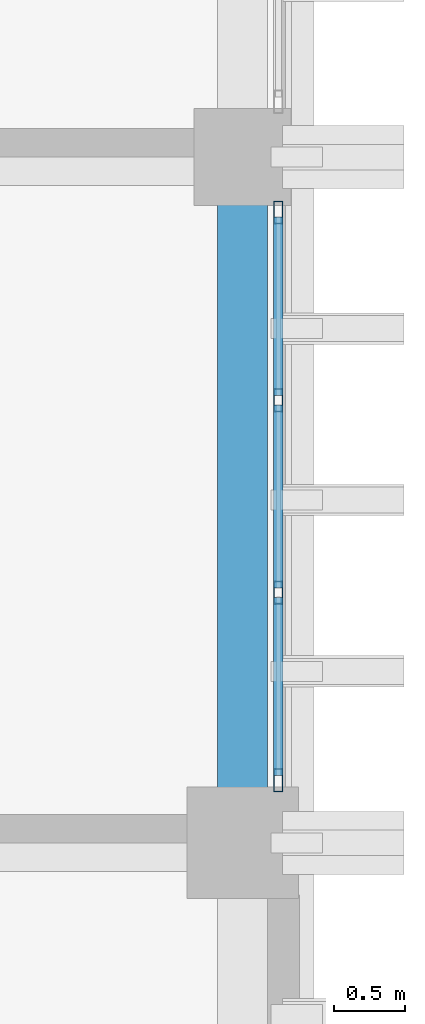
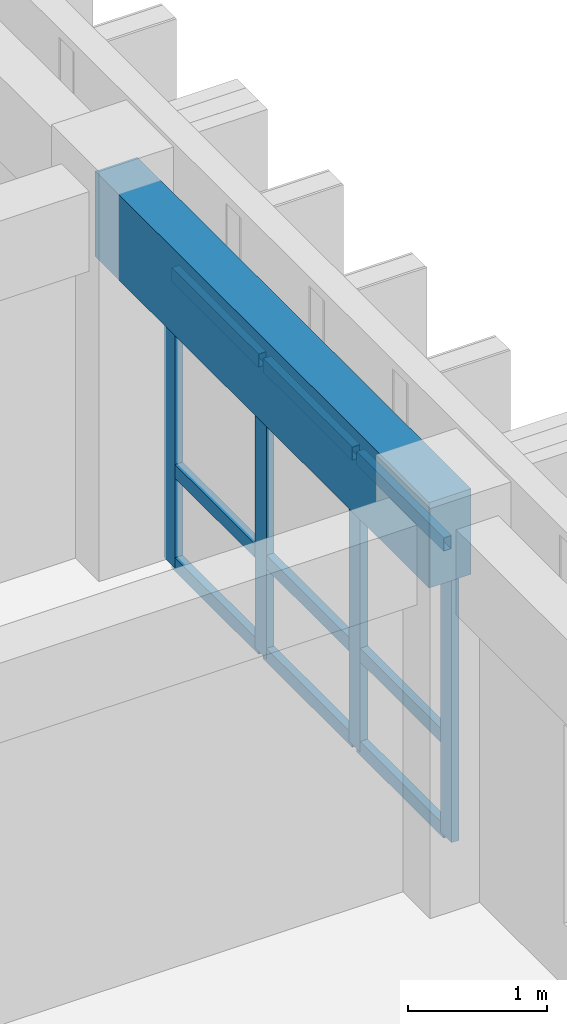
# One storey, part 49 of 68: 13 members, 1 beam, 1 element without a shape of its own.
"""IFC4 building model written with IfcOpenShell, lengths in metres."""

from ifc_helpers import new_model, si_unit, direction, frame, origin, origin_2d, place, context, subcontext, project, spatial, rectangle, hollow_rectangle, extrude, material, layer, layer_set, material_profile, profile_set, type_object, element, aggregate, save


model = new_model("IFC4")

# Units and contexts
model_context = context("Model", 3, precision=1e-05, world=origin(), true_north=direction((0.0, 1.0)))
body_context = subcontext(model_context, "Body", "Model", "MODEL_VIEW")
ifc_project = project(units=[si_unit("LENGTHUNIT", "METRE"), si_unit("AREAUNIT", "SQUARE_METRE"), si_unit("VOLUMEUNIT", "CUBIC_METRE"), si_unit("PLANEANGLEUNIT", "RADIAN"), si_unit("MASSUNIT", "GRAM", prefix="KILO")], contexts=[model_context])

# Site, building, storey
site_placement = place(None, origin())
site = spatial("IfcSite", under=ifc_project, at=site_placement, CompositionType="ELEMENT")
building_placement = place(site_placement, origin())
building = spatial("IfcBuilding", under=site, at=building_placement, Name="Nakhvara Creek Congress Hotel", CompositionType="ELEMENT")
storey_placement = place(building_placement, frame((0.0, 0.0, 24.60009765625)))
storey = spatial("IfcBuildingStorey", under=building, at=storey_placement, Name="L05", CompositionType="ELEMENT", Elevation=24.60009765625)

# Beam
ifc_material_1 = material(Name="Concrete C40/50", Category="concrete")
ifc_material_profile_1 = material_profile(ifc_material_1, rectangle(XDim=0.35009765625, YDim=0.75, at=origin_2d()), Name="RC-SPANDREL 350x750", Category="LoadBearing")
ifc_profile_set_1 = profile_set([ifc_material_profile_1], Name="Concrete C40/50")
beam_type = type_object("IfcBeamType", Name="BM-SPN-350X750", PredefinedType="SPANDREL", material=ifc_profile_set_1)
beam_placement = place(storey_placement, frame((179.35009765625, 115.199951171875, 2.96484375), z_axis=(0.0, 1.0, 0.0), x_axis=(-1.0, 0.0, 0.0)))
element("IfcBeam", 1, at=beam_placement, inside=storey, type_object=beam_type, Name="Beam SP1-L05-2165", PredefinedType="SPANDREL", context=body_context, shape_type="SweptSolid", body=[
    extrude(rectangle(XDim=0.35009765625, YDim=0.75, at=origin_2d()), origin(), (0.0, 0.0, 1.0), 4.800048828125),
])

# Curtain wall, members
ifc_material_2 = material(Name="Bronze-anodised aluminium AW-6063-T6 and double-silver low-E glass", Category="aluminium")
ifc_layer = layer(ifc_material_2, 0.199951171875)
ifc_layer_set = layer_set([ifc_layer], Name="Bronze-anodised aluminium AW-6063-T6 and double-silver low-E glass")
curtain_wall_type = type_object("IfcCurtainWallType", Name="CW-HTL-UNIT", PredefinedType="USERDEFINED", material=ifc_layer_set)
curtain_wall_placement = place(storey_placement, origin())
curtain_wall = element("IfcCurtainWall", 2, at=curtain_wall_placement, inside=storey, type_object=curtain_wall_type, Name="Curtain Wall CW226", ObjectType="UNITISED", PredefinedType="USERDEFINED")
ifc_material_3 = material(Name="Bronze-anodised aluminium AW-6063-T6", Category="aluminium")
ifc_material_profile_2 = material_profile(ifc_material_3, hollow_rectangle(XDim=0.06494140625, YDim=0.159912109375, WallThickness=0.00390625, at=origin_2d()), Name="ALU-MULL 65x160x4", Category="LoadBearing")
ifc_profile_set_2 = profile_set([ifc_material_profile_2], Name="Bronze-anodised aluminium AW-6063-T6")
member_type_1 = type_object("IfcMemberType", Name="CW-MULL-160", PredefinedType="MULLION", material=ifc_profile_set_2)
member_1_placement = place(storey_placement, frame((179.60009765625, 119.612548828125, 0.0), z_axis=(0.0, 0.0, 1.0), x_axis=(1.0, 0.0, 0.0)))
member_1 = element("IfcMember", 3, at=member_1_placement, type_object=member_type_1, Name="CW226 mullion 1", PredefinedType="MULLION", context=body_context, shape_type="SweptSolid", body=[
    extrude(hollow_rectangle(XDim=0.06494140625, YDim=0.159912109375, WallThickness=0.00390625, at=origin_2d()), origin(), (0.0, 0.0, 1.0), 2.581787109375),
])
member_2_placement = place(storey_placement, frame((179.60009765625, 118.29833984375, 0.0), z_axis=(0.0, 0.0, 1.0), x_axis=(1.0, 0.0, 0.0)))
member_2 = element("IfcMember", 4, at=member_2_placement, type_object=member_type_1, Name="CW226 mullion 2", PredefinedType="MULLION", context=body_context, shape_type="SweptSolid", body=[
    extrude(hollow_rectangle(XDim=0.06494140625, YDim=0.159912109375, WallThickness=0.00390625, at=origin_2d()), origin(), (0.0, 0.0, 1.0), 2.581787109375),
])
member_3_placement = place(storey_placement, frame((179.60009765625, 116.95166015625, 0.0), z_axis=(0.0, 0.0, 1.0), x_axis=(1.0, 0.0, 0.0)))
member_3 = element("IfcMember", 5, at=member_3_placement, type_object=member_type_1, Name="CW226 mullion 3", PredefinedType="MULLION", context=body_context, shape_type="SweptSolid", body=[
    extrude(hollow_rectangle(XDim=0.06494140625, YDim=0.159912109375, WallThickness=0.00390625, at=origin_2d()), origin(), (0.0, 0.0, 1.0), 2.581787109375),
])
member_4_placement = place(storey_placement, frame((179.60009765625, 115.637451171875, 0.0), z_axis=(0.0, 0.0, 1.0), x_axis=(1.0, 0.0, 0.0)))
member_4 = element("IfcMember", 6, at=member_4_placement, type_object=member_type_1, Name="CW226 mullion 4", PredefinedType="MULLION", context=body_context, shape_type="SweptSolid", body=[
    extrude(hollow_rectangle(XDim=0.06494140625, YDim=0.159912109375, WallThickness=0.00390625, at=origin_2d()), origin(), (0.0, 0.0, 1.0), 2.581787109375),
])
ifc_material_profile_3 = material_profile(ifc_material_3, hollow_rectangle(XDim=0.06494140625, YDim=0.1201171875, WallThickness=0.00390625, at=origin_2d()), Name="ALU-TRAN 65x120x4", Category="LoadBearing")
ifc_profile_set_3 = profile_set([ifc_material_profile_3], Name="Bronze-anodised aluminium AW-6063-T6")
member_type_2 = type_object("IfcMemberType", Name="CW-TRAN-120", PredefinedType="USERDEFINED", material=ifc_profile_set_3)
member_5_placement = place(storey_placement, frame((179.60009765625, 119.580078125, 0.032470703125), z_axis=(0.0, -1.0, 0.0), x_axis=(1.0, 0.0, 0.0)))
member_5 = element("IfcMember", 7, at=member_5_placement, type_object=member_type_2, Name="CW226 transom 1.1", ObjectType="TRANSOM", PredefinedType="USERDEFINED", context=body_context, shape_type="SweptSolid", body=[
    extrude(hollow_rectangle(XDim=0.06494140625, YDim=0.1201171875, WallThickness=0.00390625, at=origin_2d()), origin(), (0.0, 0.0, 1.0), 1.249267578125),
])
member_6_placement = place(storey_placement, frame((179.60009765625, 119.580078125, 0.849853515625), z_axis=(0.0, -1.0, 0.0), x_axis=(1.0, 0.0, 0.0)))
member_6 = element("IfcMember", 8, at=member_6_placement, type_object=member_type_2, Name="CW226 transom 1.2", ObjectType="TRANSOM", PredefinedType="USERDEFINED", context=body_context, shape_type="SweptSolid", body=[
    extrude(hollow_rectangle(XDim=0.06494140625, YDim=0.1201171875, WallThickness=0.00390625, at=origin_2d()), origin(), (0.0, 0.0, 1.0), 1.249267578125),
])
member_7_placement = place(storey_placement, frame((179.60009765625, 119.580078125, 2.54931640625), z_axis=(0.0, -1.0, 0.0), x_axis=(1.0, 0.0, 0.0)))
member_7 = element("IfcMember", 9, at=member_7_placement, type_object=member_type_2, Name="CW226 transom 1.3", ObjectType="TRANSOM", PredefinedType="USERDEFINED", context=body_context, shape_type="SweptSolid", body=[
    extrude(hollow_rectangle(XDim=0.06494140625, YDim=0.1201171875, WallThickness=0.00390625, at=origin_2d()), origin(), (0.0, 0.0, 1.0), 1.249267578125),
])
member_8_placement = place(storey_placement, frame((179.60009765625, 118.265869140625, 0.032470703125), z_axis=(0.0, -1.0, 0.0), x_axis=(1.0, 0.0, 0.0)))
member_8 = element("IfcMember", 10, at=member_8_placement, type_object=member_type_2, Name="CW226 transom 2.1", ObjectType="TRANSOM", PredefinedType="USERDEFINED", context=body_context, shape_type="SweptSolid", body=[
    extrude(hollow_rectangle(XDim=0.06494140625, YDim=0.1201171875, WallThickness=0.00390625, at=origin_2d()), origin(), (0.0, 0.0, 1.0), 1.28173828125),
])
member_9_placement = place(storey_placement, frame((179.60009765625, 118.265869140625, 0.849853515625), z_axis=(0.0, -1.0, 0.0), x_axis=(1.0, 0.0, 0.0)))
member_9 = element("IfcMember", 11, at=member_9_placement, type_object=member_type_2, Name="CW226 transom 2.2", ObjectType="TRANSOM", PredefinedType="USERDEFINED", context=body_context, shape_type="SweptSolid", body=[
    extrude(hollow_rectangle(XDim=0.06494140625, YDim=0.1201171875, WallThickness=0.00390625, at=origin_2d()), origin(), (0.0, 0.0, 1.0), 1.28173828125),
])
member_10_placement = place(storey_placement, frame((179.60009765625, 118.265869140625, 2.54931640625), z_axis=(0.0, -1.0, 0.0), x_axis=(1.0, 0.0, 0.0)))
member_10 = element("IfcMember", 12, at=member_10_placement, type_object=member_type_2, Name="CW226 transom 2.3", ObjectType="TRANSOM", PredefinedType="USERDEFINED", context=body_context, shape_type="SweptSolid", body=[
    extrude(hollow_rectangle(XDim=0.06494140625, YDim=0.1201171875, WallThickness=0.00390625, at=origin_2d()), origin(), (0.0, 0.0, 1.0), 1.28173828125),
])
member_11_placement = place(storey_placement, frame((179.60009765625, 116.919189453125, 0.032470703125), z_axis=(0.0, -1.0, 0.0), x_axis=(1.0, 0.0, 0.0)))
member_11 = element("IfcMember", 13, at=member_11_placement, type_object=member_type_2, Name="CW226 transom 3.1", ObjectType="TRANSOM", PredefinedType="USERDEFINED", context=body_context, shape_type="SweptSolid", body=[
    extrude(hollow_rectangle(XDim=0.06494140625, YDim=0.1201171875, WallThickness=0.00390625, at=origin_2d()), origin(), (0.0, 0.0, 1.0), 1.249267578125),
])
member_12_placement = place(storey_placement, frame((179.60009765625, 116.919189453125, 0.849853515625), z_axis=(0.0, -1.0, 0.0), x_axis=(1.0, 0.0, 0.0)))
member_12 = element("IfcMember", 14, at=member_12_placement, type_object=member_type_2, Name="CW226 transom 3.2", ObjectType="TRANSOM", PredefinedType="USERDEFINED", context=body_context, shape_type="SweptSolid", body=[
    extrude(hollow_rectangle(XDim=0.06494140625, YDim=0.1201171875, WallThickness=0.00390625, at=origin_2d()), origin(), (0.0, 0.0, 1.0), 1.249267578125),
])
member_13_placement = place(storey_placement, frame((179.60009765625, 116.919189453125, 2.54931640625), z_axis=(0.0, -1.0, 0.0), x_axis=(1.0, 0.0, 0.0)))
member_13 = element("IfcMember", 15, at=member_13_placement, type_object=member_type_2, Name="CW226 transom 3.3", ObjectType="TRANSOM", PredefinedType="USERDEFINED", context=body_context, shape_type="SweptSolid", body=[
    extrude(hollow_rectangle(XDim=0.06494140625, YDim=0.1201171875, WallThickness=0.00390625, at=origin_2d()), origin(), (0.0, 0.0, 1.0), 1.249267578125),
])
aggregate(curtain_wall, [member_1, member_2, member_3, member_4, member_5, member_6, member_7, member_8, member_9, member_10, member_11, member_12, member_13])

save(model, "model.ifc")
